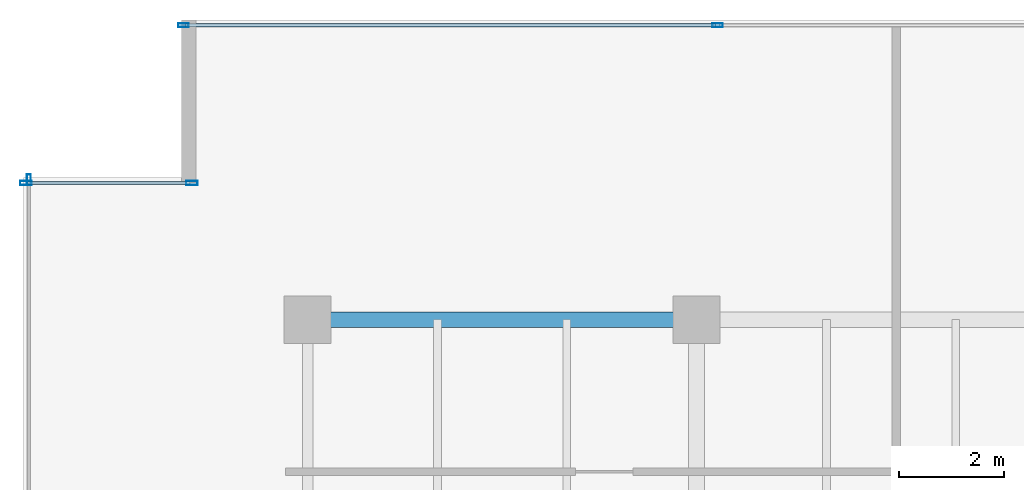
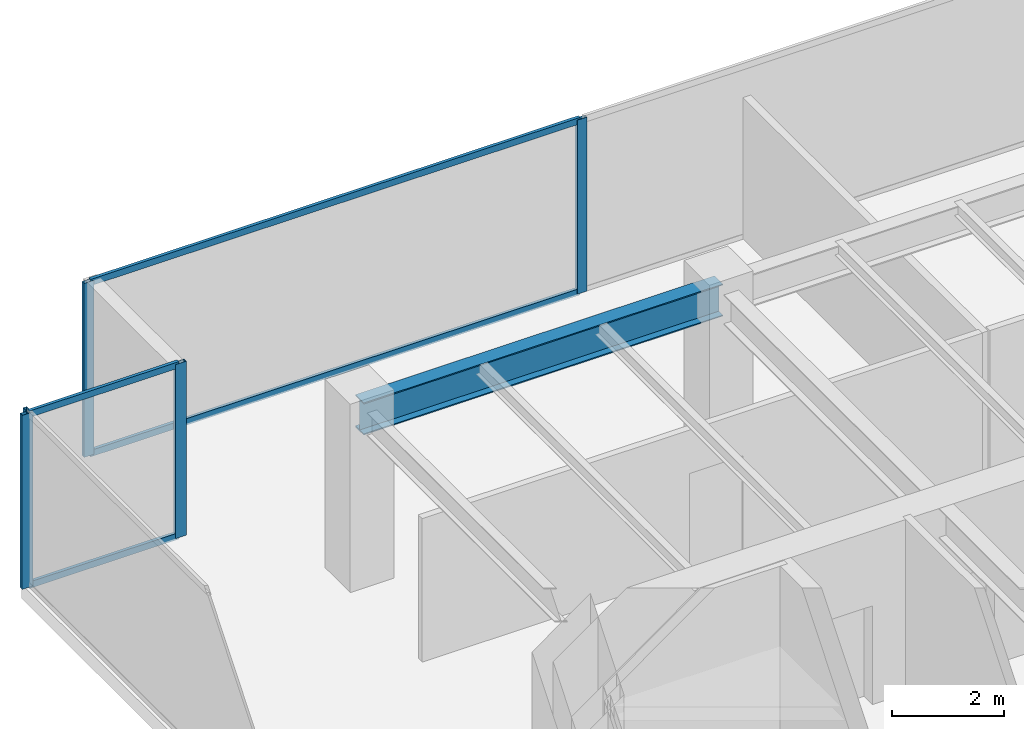
# One storey, part 14 of 30: 9 members, 1 beam, 3 elements without a shape of their own.
"""IFC4 building model written with IfcOpenShell, lengths in metres."""

from ifc_helpers import new_model, si_unit, direction, frame, origin, origin_2d, place, context, subcontext, project, spatial, hollow_rectangle, i_section, extrude, source, transform, mapped, material, layer, layer_set, material_profile, profile_set, type_object, type_shapes, element, aggregate, save


model = new_model("IFC4")

# Units and contexts
model_context = context("Model", 3, precision=1e-05, world=origin(), true_north=direction((0.0, 1.0)))
body_context = subcontext(model_context, "Body", "Model", "MODEL_VIEW")
ifc_project = project(units=[si_unit("LENGTHUNIT", "METRE"), si_unit("AREAUNIT", "SQUARE_METRE"), si_unit("VOLUMEUNIT", "CUBIC_METRE"), si_unit("PLANEANGLEUNIT", "RADIAN"), si_unit("MASSUNIT", "GRAM", prefix="KILO")], contexts=[model_context])

# Site, building, storey
site_placement = place(None, origin())
site = spatial("IfcSite", under=ifc_project, at=site_placement, CompositionType="ELEMENT")
building_placement = place(site_placement, origin())
building = spatial("IfcBuilding", under=site, at=building_placement, Name="Haelvirn Gate Laboratories", CompositionType="ELEMENT")
storey_placement = place(building_placement, frame((0.0, 0.0, 121.5)))
storey = spatial("IfcBuildingStorey", under=building, at=storey_placement, Name="L29", CompositionType="ELEMENT", Elevation=121.5)

# Beam
ifc_material_1 = material(Name="Steel SM355", Category="steel")
ifc_material_profile_1 = material_profile(ifc_material_1, i_section(OverallWidth=0.300048828125, OverallDepth=0.699951171875, WebThickness=0.012939453125, FlangeThickness=0.02392578125, at=origin_2d()), Name="H-700x300x13x24")
ifc_profile_set_1 = profile_set([ifc_material_profile_1], Name="Steel SM355")
beam_type = type_object("IfcBeamType", Name="BM-G-700", PredefinedType="BEAM", material=ifc_profile_set_1)
shared_shape_1 = source(origin(), body_context, "Body", "SweptSolid", [
    extrude(i_section(OverallWidth=0.300048828125, OverallDepth=0.699951171875, WebThickness=0.012939453125, FlangeThickness=0.02392578125, at=origin_2d()), origin(), (0.0, 0.0, 1.0), 7.400146484375),
])
type_shapes(beam_type, [shared_shape_1])
beam_placement = place(storey_placement, frame((7.39990234375, 41.60009765625, 3.43994140625), z_axis=(1.0, 0.0, 0.0), x_axis=(0.0, 1.0, 0.0)))
element("IfcBeam", 1, at=beam_placement, inside=storey, type_object=beam_type, Name="L29 Primary Girder Y41.6 (7.4-14.8)", PredefinedType="BEAM", context=body_context, shape_type="MappedRepresentation", body=[
    mapped(shared_shape_1, transform((0.0, 0.0, 0.0), scale=1.0)),
])

# Curtain wall, members
ifc_material_2 = material(Name="Anodised bronze unitised aluminium & triple low-E glass", Category="aluminium")
ifc_layer_1 = layer(ifc_material_2, 0.179931640625, Name="CW-SYS-3")
ifc_layer_set_1 = layer_set([ifc_layer_1], Name="Anodised bronze unitised aluminium & triple low-E glass")
curtain_wall_type_1 = type_object("IfcCurtainWallType", Name="CW-SYS-3", PredefinedType="NOTDEFINED", material=ifc_layer_set_1)
curtain_wall_1_placement = place(storey_placement, origin())
curtain_wall_1 = element("IfcCurtainWall", 2, at=curtain_wall_1_placement, inside=storey, type_object=curtain_wall_type_1, Name="L29 Unitised Curtain Wall CW-L29-P0-E14-1", PredefinedType="NOTDEFINED")
ifc_material_3 = material(Name="Extruded aluminium 6063-T6 (anodised bronze)", Category="aluminium")
ifc_material_profile_2 = material_profile(ifc_material_3, hollow_rectangle(XDim=0.06494140625, YDim=0.139892578125, WallThickness=0.00390625, at=origin_2d()), Name="CWT-140x65x4")
ifc_profile_set_2 = profile_set([ifc_material_profile_2], Name="Extruded aluminium 6063-T6 (anodised bronze)")
member_type_1 = type_object("IfcMemberType", Name="CWT-T140", PredefinedType="USERDEFINED", material=ifc_profile_set_2)
shared_shape_2 = source(origin(), body_context, "Body", "SweptSolid", [
    extrude(hollow_rectangle(XDim=0.06494140625, YDim=0.139892578125, WallThickness=0.00390625, at=origin_2d()), origin(), (0.0, 0.0, 1.0), 10.087646484375),
])
member_1_placement = place(storey_placement, frame((5.074951171875, 47.199951171875, 0.032470703125), z_axis=(1.0, 0.0, 0.0), x_axis=(0.0, 1.0, 0.0)))
member_1 = element("IfcMember", 3, at=member_1_placement, type_object=member_type_1, Name="CW3 transom 1.1", ObjectType="TRANSOM", PredefinedType="USERDEFINED", context=body_context, shape_type="MappedRepresentation", body=[
    mapped(shared_shape_2, transform((0.0, 0.0, 0.0), scale=1.0)),
])
member_2_placement = place(storey_placement, frame((5.074951171875, 47.199951171875, 3.757568359375), z_axis=(1.0, 0.0, 0.0), x_axis=(0.0, 1.0, 0.0)))
member_2 = element("IfcMember", 4, at=member_2_placement, type_object=member_type_1, Name="CW3 transom 1.2", ObjectType="TRANSOM", PredefinedType="USERDEFINED", context=body_context, shape_type="MappedRepresentation", body=[
    mapped(shared_shape_2, transform((0.0, 0.0, 0.0), scale=1.0)),
])

ifc_layer_2 = layer(ifc_material_2, 0.181884765625, Name="CW-SYS-5")
ifc_layer_set_2 = layer_set([ifc_layer_2], Name="Anodised bronze unitised aluminium & triple low-E glass")
curtain_wall_type_2 = type_object("IfcCurtainWallType", Name="CW-SYS-5", PredefinedType="NOTDEFINED", material=ifc_layer_set_2)
curtain_wall_2_placement = place(storey_placement, origin())
curtain_wall_2 = element("IfcCurtainWall", 5, at=curtain_wall_2_placement, inside=storey, type_object=curtain_wall_type_2, Name="L29 Unitised Curtain Wall CW-L29-P0-E16-1", PredefinedType="NOTDEFINED")
shared_shape_3 = source(origin(), body_context, "Body", "SweptSolid", [
    extrude(hollow_rectangle(XDim=0.06494140625, YDim=0.139892578125, WallThickness=0.00390625, at=origin_2d()), origin(), (0.0, 0.0, 1.0), 3.079833984375),
])
type_shapes(member_type_1, [shared_shape_2, shared_shape_3])
member_3_placement = place(storey_placement, frame((2.080078125, 44.199951171875, 0.032470703125), z_axis=(1.0, 0.0, 0.0), x_axis=(0.0, 1.0, 0.0)))
member_3 = element("IfcMember", 6, at=member_3_placement, type_object=member_type_1, Name="CW5 transom 1.1", ObjectType="TRANSOM", PredefinedType="USERDEFINED", context=body_context, shape_type="MappedRepresentation", body=[
    mapped(shared_shape_3, transform((0.0, 0.0, 0.0), scale=1.0)),
])
member_4_placement = place(storey_placement, frame((2.080078125, 44.199951171875, 3.757568359375), z_axis=(1.0, 0.0, 0.0), x_axis=(0.0, 1.0, 0.0)))
member_4 = element("IfcMember", 7, at=member_4_placement, type_object=member_type_1, Name="CW5 transom 1.2", ObjectType="TRANSOM", PredefinedType="USERDEFINED", context=body_context, shape_type="MappedRepresentation", body=[
    mapped(shared_shape_3, transform((0.0, 0.0, 0.0), scale=1.0)),
])

# Member
ifc_material_profile_3 = material_profile(ifc_material_3, hollow_rectangle(XDim=0.074951171875, YDim=0.199951171875, WallThickness=0.0048828125, at=origin_2d()), Name="CWM-200x75x5")
ifc_profile_set_3 = profile_set([ifc_material_profile_3], Name="Extruded aluminium 6063-T6 (anodised bronze)")
member_type_2 = type_object("IfcMemberType", Name="CWM-T200", PredefinedType="MULLION", material=ifc_profile_set_3)
shared_shape_4 = source(origin(), body_context, "Body", "SweptSolid", [
    extrude(hollow_rectangle(XDim=0.074951171875, YDim=0.199951171875, WallThickness=0.0048828125, at=origin_2d()), origin(), (0.0, 0.0, 1.0), 3.7900390625),
])
type_shapes(member_type_2, [shared_shape_4])
member_5_placement = place(storey_placement, frame((5.03759765625, 47.199951171875, 0.0), z_axis=(0.0, 0.0, 1.0), x_axis=(0.0, 1.0, 0.0)))
member_5 = element("IfcMember", 8, at=member_5_placement, type_object=member_type_2, Name="CW3 mullion 1", PredefinedType="MULLION", context=body_context, shape_type="MappedRepresentation", body=[
    mapped(shared_shape_4, transform((0.0, 0.0, 0.0), scale=1.0)),
])

member_6_placement = place(storey_placement, frame((15.199951171875, 47.199951171875, 0.0), z_axis=(0.0, 0.0, 1.0), x_axis=(0.0, 1.0, 0.0)))
member_6 = element("IfcMember", 9, at=member_6_placement, type_object=member_type_2, Name="CW3 mullion 2", PredefinedType="MULLION", context=body_context, shape_type="MappedRepresentation", body=[
    mapped(shared_shape_4, transform((0.0, 0.0, 0.0), scale=1.0)),
])

aggregate(curtain_wall_1, [member_5, member_6, member_1, member_2])

# Curtain wall, member
curtain_wall_3_placement = place(storey_placement, origin())
curtain_wall_3 = element("IfcCurtainWall", 10, at=curtain_wall_3_placement, inside=storey, type_object=curtain_wall_type_1, Name="L29 Unitised Curtain Wall CW-L29-P0-E17", PredefinedType="NOTDEFINED")
member_7_placement = place(storey_placement, frame((2.10009765625, 44.262451171875, 0.0), z_axis=(0.0, 0.0, 1.0), x_axis=(1.0, 0.0, 0.0)))
member_7 = element("IfcMember", 11, at=member_7_placement, type_object=member_type_2, Name="CW3 mullion 1", PredefinedType="MULLION", context=body_context, shape_type="MappedRepresentation", body=[
    mapped(shared_shape_4, transform((0.0, 0.0, 0.0), scale=1.0)),
])
aggregate(curtain_wall_3, [member_7])

# Member
ifc_material_profile_4 = material_profile(ifc_material_3, hollow_rectangle(XDim=0.080078125, YDim=0.219970703125, WallThickness=0.006103515625, at=origin_2d()), Name="CWM-220x80x6")
ifc_profile_set_4 = profile_set([ifc_material_profile_4], Name="Extruded aluminium 6063-T6 (anodised bronze)")
member_type_3 = type_object("IfcMemberType", Name="CWM-T220", PredefinedType="MULLION", material=ifc_profile_set_4)
shared_shape_5 = source(origin(), body_context, "Body", "SweptSolid", [
    extrude(hollow_rectangle(XDim=0.080078125, YDim=0.219970703125, WallThickness=0.006103515625, at=origin_2d()), origin(), (0.0, 0.0, 1.0), 3.7900390625),
])
type_shapes(member_type_3, [shared_shape_5])
member_8_placement = place(storey_placement, frame((2.0400390625, 44.199951171875, 0.0), z_axis=(0.0, 0.0, 1.0), x_axis=(0.0, 1.0, 0.0)))
member_8 = element("IfcMember", 12, at=member_8_placement, type_object=member_type_3, Name="CW5 mullion 1", PredefinedType="MULLION", context=body_context, shape_type="MappedRepresentation", body=[
    mapped(shared_shape_5, transform((0.0, 0.0, 0.0), scale=1.0)),
])

member_9_placement = place(storey_placement, frame((5.199951171875, 44.199951171875, 0.0), z_axis=(0.0, 0.0, 1.0), x_axis=(0.0, 1.0, 0.0)))
member_9 = element("IfcMember", 13, at=member_9_placement, type_object=member_type_3, Name="CW5 mullion 2", PredefinedType="MULLION", context=body_context, shape_type="MappedRepresentation", body=[
    mapped(shared_shape_5, transform((0.0, 0.0, 0.0), scale=1.0)),
])

aggregate(curtain_wall_2, [member_8, member_9, member_3, member_4])

save(model, "model.ifc")
